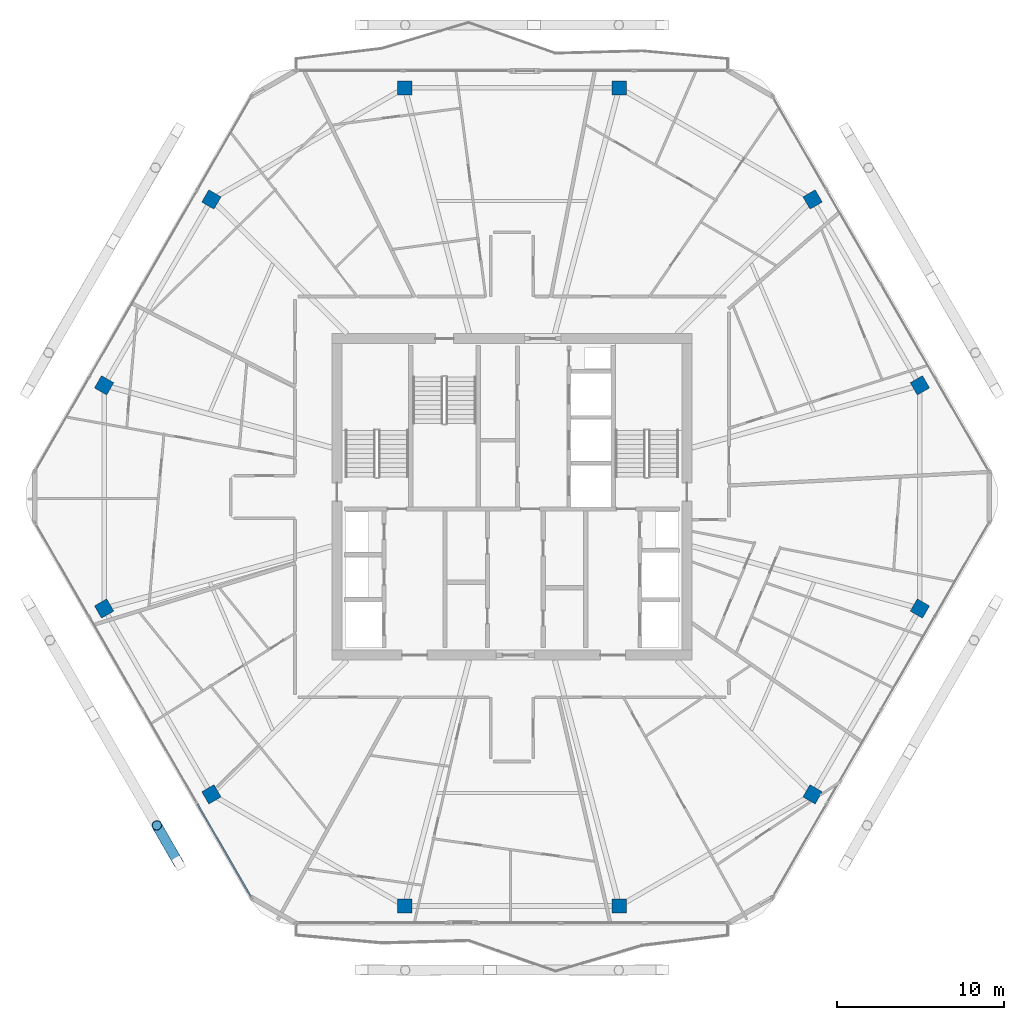
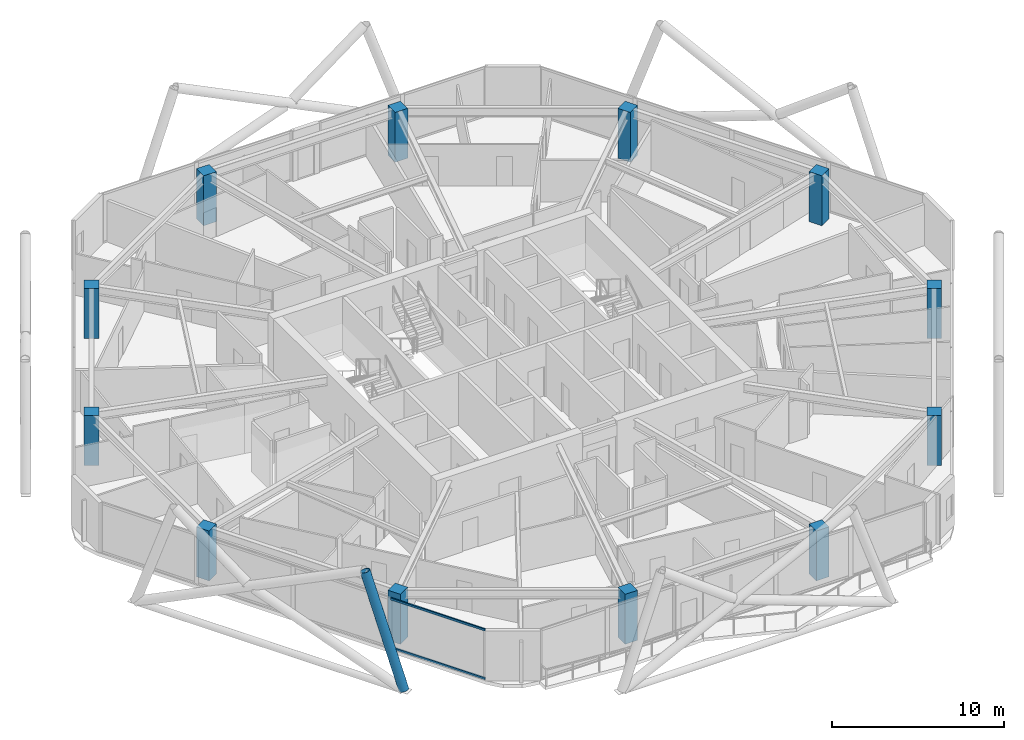
# One storey, part 1 of 27: 12 columns, 3 members, 1 element without a shape of its own.
"""IFC4 building model written with IfcOpenShell, lengths in metres."""

from ifc_helpers import new_model, si_unit, direction, frame, origin, origin_2d, place, context, subcontext, project, spatial, rectangle, hollow_rectangle, hollow_circle, extrude, material, material_profile, profile_set, type_object, element, aggregate, save


model = new_model("IFC4")

# Units and contexts
model_context = context("Model", 3, precision=1e-05, world=origin(), true_north=direction((0.0, 1.0)))
body_context = subcontext(model_context, "Body", "Model", "MODEL_VIEW")
ifc_project = project(units=[si_unit("LENGTHUNIT", "METRE"), si_unit("AREAUNIT", "SQUARE_METRE"), si_unit("VOLUMEUNIT", "CUBIC_METRE"), si_unit("PLANEANGLEUNIT", "RADIAN"), si_unit("MASSUNIT", "GRAM", prefix="KILO")], contexts=[model_context])

# Site, building, storey
site_placement = place(None, origin())
site = spatial("IfcSite", under=ifc_project, at=site_placement, CompositionType="ELEMENT")
building_placement = place(site_placement, origin())
building = spatial("IfcBuilding", under=site, at=building_placement, Name="Zuhravey Tower", CompositionType="ELEMENT")
storey_placement = place(building_placement, frame((0.0, 0.0, 276.800048828125)))
storey = spatial("IfcBuildingStorey", under=building, at=storey_placement, Name="L70", CompositionType="ELEMENT", Elevation=276.800048828125)

# Columns
ifc_material_1 = material(Name="Concrete C50/60", Category="concrete")
ifc_material_profile_1 = material_profile(ifc_material_1, rectangle(XDim=0.85009765625, YDim=0.85009765625, at=origin_2d()), Name="RC-850x850")
ifc_profile_set_1 = profile_set([ifc_material_profile_1], Name="Concrete C50/60")
column_type = type_object("IfcColumnType", Name="Zone 3 Upper Column 850x850", PredefinedType="COLUMN", material=ifc_profile_set_1)
for number, where, z_axis, x_axis, name in (
    (1, (60.484619140625, 38.698974609375, 0.0), (0.0, 0.0, 1.0), (-0.5, 0.866025403784, 0.0), "L70 Perimeter Column PC01"),
    (2, (54.043701171875, 49.854736328125, 0.0), (0.0, 0.0, 1.0), (-0.5, 0.866025403784, 0.0), "L70 Perimeter Column PC02"),
    (3, (42.44091796875, 56.5537109375, 0.0), (0.0, 0.0, 1.0), (-1.0, 0.0, 0.0), "L70 Perimeter Column PC03"),
    (4, (29.55908203125, 56.5537109375, 0.0), (0.0, 0.0, 1.0), (-1.0, 0.0, 0.0), "L70 Perimeter Column PC04"),
    (5, (17.956298828125, 49.854736328125, 0.0), (0.0, 0.0, 1.0), (-0.5, -0.866025403784, 0.0), "L70 Perimeter Column PC05"),
    (6, (11.515380859375, 38.698974609375, 0.0), (0.0, 0.0, 1.0), (-0.5, -0.866025403784, 0.0), "L70 Perimeter Column PC06"),
    (7, (11.515380859375, 25.301025390625, 0.0), (0.0, 0.0, 1.0), (0.5, -0.866025403784, 0.0), "L70 Perimeter Column PC07"),
    (8, (17.956298828125, 14.145263671875, 0.0), (0.0, 0.0, 1.0), (0.5, -0.866025403784, 0.0), "L70 Perimeter Column PC08"),
    (9, (29.55908203125, 7.4462890625, 0.0), (0.0, 0.0, 1.0), (1.0, 0.0, 0.0), "L70 Perimeter Column PC09"),
    (10, (42.44091796875, 7.4462890625, 0.0), (0.0, 0.0, 1.0), (1.0, 0.0, 0.0), "L70 Perimeter Column PC10"),
    (11, (54.043701171875, 14.145263671875, 0.0), (0.0, 0.0, 1.0), (0.5, 0.866025403784, 0.0), "L70 Perimeter Column PC11"),
    (12, (60.484619140625, 25.301025390625, 0.0), (0.0, 0.0, 1.0), (0.5, 0.866025403784, 0.0), "L70 Perimeter Column PC12"),
):
    element("IfcColumn", number, at=place(storey_placement, frame(where, z_axis=z_axis, x_axis=x_axis)), inside=storey, type_object=column_type, Name=name, PredefinedType="COLUMN", context=body_context, shape_type="SweptSolid", body=[
        extrude(rectangle(XDim=0.85009765625, YDim=0.85009765625, at=origin_2d()), origin(), (0.0, 0.0, 1.0), 3.550048828125),
    ])

# Curtain wall, members
ifc_material_2 = material(Name="Thermally broken anodised aluminium", Category="aluminium")
curtain_wall_type = type_object("IfcCurtainWallType", Name="Zone 3-4 High-Rise Curtain Wall CW4", PredefinedType="NOTDEFINED", material=ifc_material_2)
curtain_wall_placement = place(storey_placement, origin())
curtain_wall = element("IfcCurtainWall", 13, at=curtain_wall_placement, inside=storey, type_object=curtain_wall_type, Name="L70 CW4 CW-L70-F4-1", PredefinedType="NOTDEFINED")
ifc_material_3 = material(Name="Anodised aluminium", Category="aluminium")
ifc_material_profile_2 = material_profile(ifc_material_3, hollow_rectangle(XDim=0.090087890625, YDim=0.14990234375, WallThickness=0.0048828125, at=origin_2d()), Name="ALU-RHS-90x150x5")
ifc_profile_set_2 = profile_set([ifc_material_profile_2], Name="Anodised aluminium")
member_type_1 = type_object("IfcMemberType", Name="Curtain-Wall Transom 90x150", PredefinedType="USERDEFINED", material=ifc_profile_set_2)
member_1_placement = place(storey_placement, frame((20.322509765625, 8.02685546875, 0.044921875), z_axis=(-0.499980071345, 0.866036909293, 0.0), x_axis=(-0.866036909293, -0.499980071345, 0.0)))
member_1 = element("IfcMember", 14, at=member_1_placement, type_object=member_type_1, Name="CW4 transom 1.1", ObjectType="TRANSOM", PredefinedType="USERDEFINED", context=body_context, shape_type="SweptSolid", body=[
    extrude(hollow_rectangle(XDim=0.090087890625, YDim=0.14990234375, WallThickness=0.0048828125, at=origin_2d()), origin(), (0.0, 0.0, 1.0), 6.371337890625),
])
member_2_placement = place(storey_placement, frame((20.322509765625, 8.02685546875, 3.5048828125), z_axis=(-0.499980071345, 0.866036909293, 0.0), x_axis=(-0.866036909293, -0.499980071345, 0.0)))
member_2 = element("IfcMember", 15, at=member_2_placement, type_object=member_type_1, Name="CW4 transom 1.2", ObjectType="TRANSOM", PredefinedType="USERDEFINED", context=body_context, shape_type="SweptSolid", body=[
    extrude(hollow_rectangle(XDim=0.090087890625, YDim=0.14990234375, WallThickness=0.0048828125, at=origin_2d()), origin(), (0.0, 0.0, 1.0), 6.371337890625),
])
aggregate(curtain_wall, [member_1, member_2])

# Member
ifc_material_4 = material(Name="Steel SM355", Category="steel")
ifc_material_profile_3 = material_profile(ifc_material_4, hollow_circle(Radius=0.3046875, WallThickness=0.028076171875, at=origin_2d()), Name="CHS-609.6x28")
ifc_profile_set_3 = profile_set([ifc_material_profile_3], Name="Steel SM355")
member_type_2 = type_object("IfcMemberType", Name="Exoskeleton Zone 3 Diagrid CHS610x28", PredefinedType="BRACE", material=ifc_profile_set_3)
member_3_placement = place(storey_placement, frame((15.982421875, 10.024169921875, -0.446044921875), z_axis=(-0.163029217662, 0.282394798701, 0.945343668649), x_axis=(-0.866040668696, -0.499973559465, 0.0)))
element("IfcMember", 16, at=member_3_placement, inside=storey, type_object=member_type_2, Name="L70 Face 4 Diagrid Brace 4", PredefinedType="BRACE", context=body_context, shape_type="SweptSolid", body=[
    extrude(hollow_circle(Radius=0.3046875, WallThickness=0.028076171875, at=origin_2d()), origin(), (0.0, 0.0, 1.0), 8.001220703125),
])

save(model, "model.ifc")
